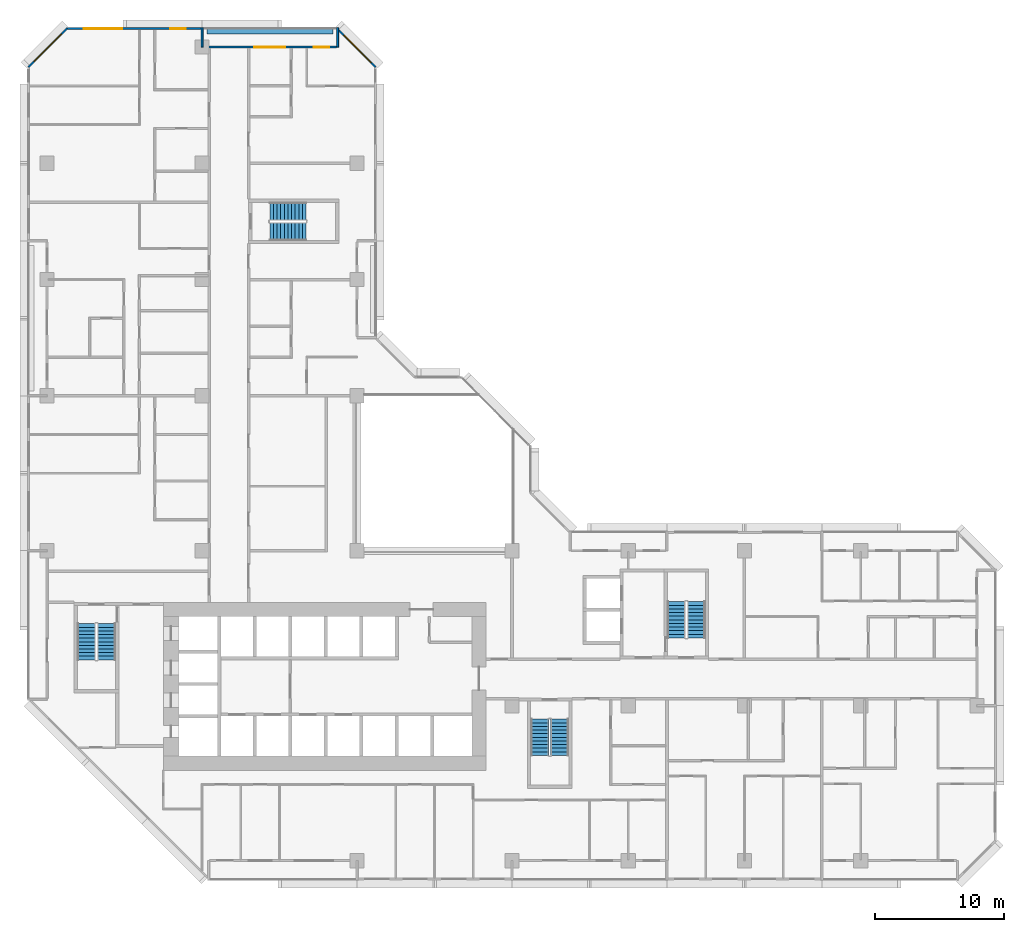
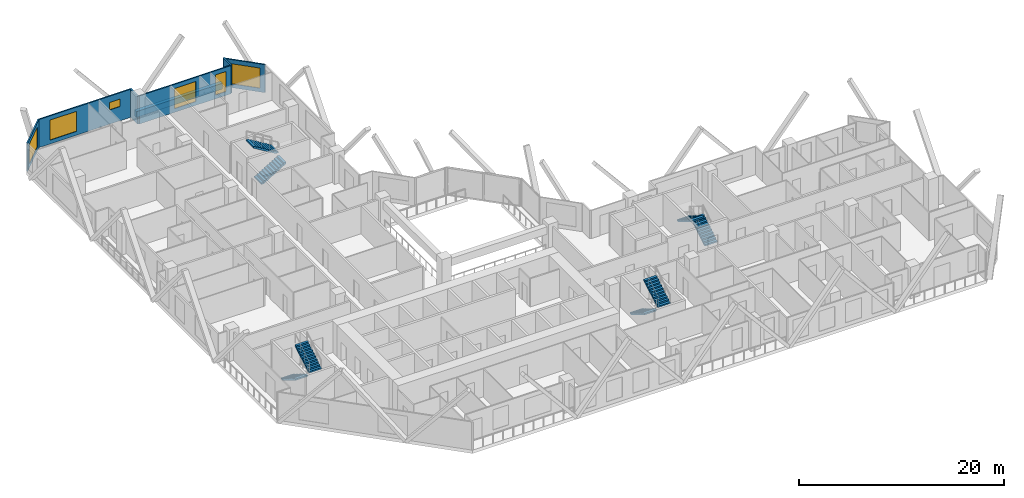
# One storey, part 13 of 15: 8 stair flights, 7 walls, 6 windows, 6 openings, 4 elements without a shape of their own.
"""IFC4 building model written with IfcOpenShell, lengths in metres."""

from ifc_helpers import new_model, si_unit, direction, frame, frame_2d, origin, place, context, subcontext, project, spatial, polyline, rectangle, outline, extrude, material, layer, layer_set, type_object, element, fill, aggregate, save


model = new_model("IFC4")

# Units and contexts
model_context = context("Model", 3, precision=1e-05, world=origin(), true_north=direction((0.0, 1.0)))
body_context = subcontext(model_context, "Body", "Model", "MODEL_VIEW")
ifc_project = project(units=[si_unit("LENGTHUNIT", "METRE"), si_unit("AREAUNIT", "SQUARE_METRE"), si_unit("VOLUMEUNIT", "CUBIC_METRE"), si_unit("PLANEANGLEUNIT", "RADIAN"), si_unit("MASSUNIT", "GRAM", prefix="KILO")], contexts=[model_context])

# Site, building, storey
site_placement = place(None, origin())
site = spatial("IfcSite", under=ifc_project, at=site_placement, CompositionType="ELEMENT")
building_placement = place(site_placement, origin())
building = spatial("IfcBuilding", under=site, at=building_placement, Name="Chenar Terraces", CompositionType="ELEMENT")
storey_placement = place(building_placement, frame((0.0, 0.0, 41.39990234375)))
storey = spatial("IfcBuildingStorey", under=building, at=storey_placement, Name="L07", CompositionType="ELEMENT", Elevation=41.39990234375)

# Wall, openings, windows
ifc_material_1 = material(Name="Aluminium framed glazing", Category="aluminium")
ifc_layer_1 = layer(ifc_material_1, 0.14990234375)
ifc_layer_set_1 = layer_set([ifc_layer_1], Name="Aluminium framed glazing")
wall_type_1 = type_object("IfcWallType", Name="Glazed flush facade wall 150", PredefinedType="SOLIDWALL", material=ifc_layer_set_1)
wall_1_placement = place(storey_placement, frame((11.925048828125, 64.425048828125, 0.0), z_axis=(0.0, 0.0, 1.0), x_axis=(-1.0, 0.0, 0.0)))
wall_1 = element("IfcWall", 1, at=wall_1_placement, inside=storey, type_object=wall_type_1, Name="Glazed flush facade wall", PredefinedType="SOLIDWALL", context=body_context, shape_type="SweptSolid", body=[
    extrude(rectangle(XDim=10.425048828125, YDim=0.14990234375, at=frame_2d((5.21240234375, 0.0))), origin(), (0.0, 0.0, 1.0), 3.35009765625),
])
opening_1_placement = place(wall_1_placement, frame((1.1875, 0.0, 1.699951171875)))
opening_1 = element("IfcOpeningElement", 2, at=opening_1_placement, cuts=wall_1, Name="Opening W120x90", PredefinedType="OPENING", context=body_context, shape_type="SweptSolid", body=[
    extrude(rectangle(XDim=1.199951171875, YDim=0.89990234375, at=frame_2d((0.60009765625, 0.449951171875))), frame((0.0, 0.0849609375, 0.0), z_axis=(0.0, -1.0, 0.0), x_axis=(1.0, 0.0, 0.0)), (0.0, 0.0, 1.0), 0.169921875),
])
opening_2_placement = place(wall_1_placement, frame((6.10009765625, 0.0, 0.449951171875)))
opening_2 = element("IfcOpeningElement", 3, at=opening_2_placement, cuts=wall_1, Name="Opening W300x240", PredefinedType="OPENING", context=body_context, shape_type="SweptSolid", body=[
    extrude(rectangle(XDim=3.0, YDim=2.39990234375, at=frame_2d((1.5, 1.199951171875))), frame((0.0, 0.0849609375, 0.0), z_axis=(0.0, -1.0, 0.0), x_axis=(1.0, 0.0, 0.0)), (0.0, 0.0, 1.0), 0.169921875),
])
ifc_material_2 = material(Name="Low emissivity double glazing, aluminium frame", Category="aluminium")
window_type_1 = type_object("IfcWindowType", Name="Fixed light 1200 x 900", PartitioningType="SINGLE_PANEL", PredefinedType="WINDOW", material=ifc_material_2)
window_1_placement = place(opening_1_placement, origin())
window_1 = element("IfcWindow", 4, at=window_1_placement, inside=storey, type_object=window_type_1, Name="Window", OverallHeight=0.89990234375, OverallWidth=1.199951171875, PartitioningType="SINGLE_PANEL", PredefinedType="WINDOW", context=body_context, shape_type="SweptSolid", body=[
    extrude(rectangle(XDim=1.199951171875, YDim=0.89990234375, at=frame_2d((0.60009765625, 0.449951171875))), frame((0.0, 0.030029296875, 0.0), z_axis=(0.0, -1.0, 0.0), x_axis=(1.0, 0.0, 0.0)), (0.0, 0.0, 1.0), 0.06005859375),
])
fill(opening_1, window_1)
ifc_material_3 = material(Name="Low emissivity double glazing, aluminium frame", Category="aluminium")
window_type_2 = type_object("IfcWindowType", Name="Fixed light 3000 x 2400", PartitioningType="SINGLE_PANEL", PredefinedType="WINDOW", material=ifc_material_3)
window_2_placement = place(opening_2_placement, origin())
window_2 = element("IfcWindow", 5, at=window_2_placement, inside=storey, type_object=window_type_2, Name="Window", OverallHeight=2.39990234375, OverallWidth=3.0, PartitioningType="SINGLE_PANEL", PredefinedType="WINDOW", context=body_context, shape_type="SweptSolid", body=[
    extrude(rectangle(XDim=3.0, YDim=2.39990234375, at=frame_2d((1.5, 1.199951171875))), frame((0.0, 0.030029296875, 0.0), z_axis=(0.0, -1.0, 0.0), x_axis=(1.0, 0.0, 0.0)), (0.0, 0.0, 1.0), 0.06005859375),
])
fill(opening_2, window_2)

ifc_material_4 = material(Name="Aluminium framed glazing", Category="aluminium")
ifc_layer_2 = layer(ifc_material_4, 0.14990234375)
ifc_layer_set_2 = layer_set([ifc_layer_2], Name="Aluminium framed glazing")
wall_type_2 = type_object("IfcWallType", Name="Glazed loggia back wall 150", PredefinedType="SOLIDWALL", material=ifc_layer_set_2)
wall_2_placement = place(storey_placement, frame((22.425048828125, 63.0, 0.0), z_axis=(0.0, 0.0, 1.0), x_axis=(-1.0, 0.0, 0.0)))
wall_2 = element("IfcWall", 6, at=wall_2_placement, inside=storey, type_object=wall_type_2, Name="Glazed loggia back wall", PredefinedType="SOLIDWALL", context=body_context, shape_type="SweptSolid", body=[
    extrude(rectangle(XDim=10.35009765625, YDim=0.14990234375, at=frame_2d((5.175048828125, 0.0))), origin(), (0.0, 0.0, 1.0), 3.35009765625),
])
opening_3_placement = place(wall_2_placement, frame((0.5625, 0.0, 0.449951171875)))
opening_3 = element("IfcOpeningElement", 7, at=opening_3_placement, cuts=wall_2, Name="Opening W120x240", PredefinedType="OPENING", context=body_context, shape_type="SweptSolid", body=[
    extrude(rectangle(XDim=1.199951171875, YDim=2.39990234375, at=frame_2d((0.60009765625, 1.199951171875))), frame((0.0, 0.0849609375, 0.0), z_axis=(0.0, -1.0, 0.0), x_axis=(1.0, 0.0, 0.0)), (0.0, 0.0, 1.0), 0.169921875),
])
opening_4_placement = place(wall_2_placement, frame((3.97509765625, 0.0, 0.449951171875)))
opening_4 = element("IfcOpeningElement", 8, at=opening_4_placement, cuts=wall_2, Name="Opening W240x240", PredefinedType="OPENING", context=body_context, shape_type="SweptSolid", body=[
    extrude(rectangle(XDim=2.39990234375, YDim=2.39990234375, at=frame_2d((1.199951171875, 1.199951171875))), frame((0.0, 0.0849609375, 0.0), z_axis=(0.0, -1.0, 0.0), x_axis=(1.0, 0.0, 0.0)), (0.0, 0.0, 1.0), 0.169921875),
])
ifc_material_5 = material(Name="Low emissivity double glazing, aluminium frame", Category="aluminium")
window_type_3 = type_object("IfcWindowType", Name="Fixed light 1200 x 2400", PartitioningType="SINGLE_PANEL", PredefinedType="WINDOW", material=ifc_material_5)
window_3_placement = place(opening_3_placement, origin())
window_3 = element("IfcWindow", 9, at=window_3_placement, inside=storey, type_object=window_type_3, Name="Window", OverallHeight=2.39990234375, OverallWidth=1.199951171875, PartitioningType="SINGLE_PANEL", PredefinedType="WINDOW", context=body_context, shape_type="SweptSolid", body=[
    extrude(rectangle(XDim=1.199951171875, YDim=2.39990234375, at=frame_2d((0.60009765625, 1.199951171875))), frame((0.0, 0.030029296875, 0.0), z_axis=(0.0, -1.0, 0.0), x_axis=(1.0, 0.0, 0.0)), (0.0, 0.0, 1.0), 0.06005859375),
])
fill(opening_3, window_3)
ifc_material_6 = material(Name="Low emissivity double glazing, aluminium frame", Category="aluminium")
window_type_4 = type_object("IfcWindowType", Name="Fixed light 2400 x 2400", PartitioningType="SINGLE_PANEL", PredefinedType="WINDOW", material=ifc_material_6)
window_4_placement = place(opening_4_placement, origin())
window_4 = element("IfcWindow", 10, at=window_4_placement, inside=storey, type_object=window_type_4, Name="Window", OverallHeight=2.39990234375, OverallWidth=2.39990234375, PartitioningType="SINGLE_PANEL", PredefinedType="WINDOW", context=body_context, shape_type="SweptSolid", body=[
    extrude(rectangle(XDim=2.39990234375, YDim=2.39990234375, at=frame_2d((1.199951171875, 1.199951171875))), frame((0.0, 0.030029296875, 0.0), z_axis=(0.0, -1.0, 0.0), x_axis=(1.0, 0.0, 0.0)), (0.0, 0.0, 1.0), 0.06005859375),
])
fill(opening_4, window_4)

# Walls
ifc_material_7 = material(Name="Terracotta cladding on insulated backing", Category="masonry")
ifc_layer_3 = layer(ifc_material_7, 0.14990234375)
ifc_layer_set_3 = layer_set([ifc_layer_3], Name="Terracotta cladding on insulated backing")
wall_type_3 = type_object("IfcWallType", Name="Loggia return wall 150", PredefinedType="SOLIDWALL", material=ifc_layer_set_3)
for number, where, z_axis, x_axis, name in (
    (11, (22.5, 64.5, 0.0), (0.0, 0.0, 1.0), (0.0, -1.0, 0.0), "Loggia return wall"),
    (12, (12.0, 64.5, 0.0), (0.0, 0.0, 1.0), (0.0, -1.0, 0.0), "Loggia return wall"),
):
    element("IfcWall", number, at=place(storey_placement, frame(where, z_axis=z_axis, x_axis=x_axis)), inside=storey, type_object=wall_type_3, Name=name, PredefinedType="SOLIDWALL", context=body_context, shape_type="SweptSolid", body=[
        extrude(rectangle(XDim=1.5, YDim=0.14990234375, at=frame_2d((0.75, 0.0))), origin(), (0.0, 0.0, 1.0), 3.35009765625),
    ])

# Wall, opening, window
ifc_material_8 = material(Name="Terracotta cladding on insulated backing", Category="masonry")
ifc_layer_4 = layer(ifc_material_8, 0.14990234375)
ifc_layer_set_4 = layer_set([ifc_layer_4], Name="Terracotta cladding on insulated backing")
wall_type_4 = type_object("IfcWallType", Name="Terracotta rainscreen wall 150", PredefinedType="SOLIDWALL", material=ifc_layer_set_4)
wall_3_placement = place(storey_placement, frame((25.447021484375, 61.447021484375, 0.0), z_axis=(0.0, 0.0, 1.0), x_axis=(-0.707106781187, 0.707106781187, 0.0)))
wall_3 = element("IfcWall", 13, at=wall_3_placement, inside=storey, type_object=wall_type_4, Name="Terracotta rainscreen wall", PredefinedType="SOLIDWALL", context=body_context, shape_type="SweptSolid", body=[
    extrude(rectangle(XDim=4.24267578125, YDim=0.14990234375, at=frame_2d((2.121337890625, 0.0))), origin(), (0.0, 0.0, 1.0), 3.35009765625),
])
opening_5_placement = place(wall_3_placement, frame((0.498046875, 0.0, 0.449951171875)))
opening_5 = element("IfcOpeningElement", 14, at=opening_5_placement, cuts=wall_3, Name="Opening W300x240", PredefinedType="OPENING", context=body_context, shape_type="SweptSolid", body=[
    extrude(rectangle(XDim=3.0, YDim=2.39990234375, at=frame_2d((1.5, 1.199951171875))), frame((0.0, 0.0849609375, 0.0), z_axis=(0.0, -1.0, 0.0), x_axis=(1.0, 0.0, 0.0)), (0.0, 0.0, 1.0), 0.169921875),
])
window_5_placement = place(opening_5_placement, origin())
window_5 = element("IfcWindow", 15, at=window_5_placement, inside=storey, type_object=window_type_2, Name="Window", OverallHeight=2.39990234375, OverallWidth=3.0, PartitioningType="SINGLE_PANEL", PredefinedType="WINDOW", context=body_context, shape_type="SweptSolid", body=[
    extrude(rectangle(XDim=3.0, YDim=2.39990234375, at=frame_2d((1.5, 1.199951171875))), frame((0.0, 0.030029296875, 0.0), z_axis=(0.0, -1.0, 0.0), x_axis=(1.0, 0.0, 0.0)), (0.0, 0.0, 1.0), 0.06005859375),
])
fill(opening_5, window_5)

wall_4_placement = place(storey_placement, frame((1.552978515625, 64.447021484375, 0.0), z_axis=(0.0, 0.0, 1.0), x_axis=(-0.707106781187, -0.707106781187, 0.0)))
wall_4 = element("IfcWall", 16, at=wall_4_placement, inside=storey, type_object=wall_type_4, Name="Terracotta rainscreen wall", PredefinedType="SOLIDWALL", context=body_context, shape_type="SweptSolid", body=[
    extrude(rectangle(XDim=4.24267578125, YDim=0.14990234375, at=frame_2d((2.121337890625, 0.0))), origin(), (0.0, 0.0, 1.0), 3.35009765625),
])
opening_6_placement = place(wall_4_placement, frame((0.621337890625, 0.0, 0.449951171875)))
opening_6 = element("IfcOpeningElement", 17, at=opening_6_placement, cuts=wall_4, Name="Opening W300x240", PredefinedType="OPENING", context=body_context, shape_type="SweptSolid", body=[
    extrude(rectangle(XDim=3.0, YDim=2.39990234375, at=frame_2d((1.5, 1.199951171875))), frame((0.0, 0.0849609375, 0.0), z_axis=(0.0, -1.0, 0.0), x_axis=(1.0, 0.0, 0.0)), (0.0, 0.0, 1.0), 0.169921875),
])
window_6_placement = place(opening_6_placement, origin())
window_6 = element("IfcWindow", 18, at=window_6_placement, inside=storey, type_object=window_type_2, Name="Window", OverallHeight=2.39990234375, OverallWidth=3.0, PartitioningType="SINGLE_PANEL", PredefinedType="WINDOW", context=body_context, shape_type="SweptSolid", body=[
    extrude(rectangle(XDim=3.0, YDim=2.39990234375, at=frame_2d((1.5, 1.199951171875))), frame((0.0, 0.030029296875, 0.0), z_axis=(0.0, -1.0, 0.0), x_axis=(1.0, 0.0, 0.0)), (0.0, 0.0, 1.0), 0.06005859375),
])
fill(opening_6, window_6)

# Wall
ifc_material_9 = material(Name="GRP planter trough")
ifc_layer_5 = layer(ifc_material_9, 0.39990234375)
ifc_layer_set_5 = layer_set([ifc_layer_5], Name="GRP planter trough")
wall_type_5 = type_object("IfcWallType", Name="Vertical greenery planter 400", PredefinedType="SOLIDWALL", material=ifc_layer_set_5)
wall_5_placement = place(storey_placement, frame((22.125, 64.22900390625, 0.0), z_axis=(0.0, 0.0, 1.0), x_axis=(-1.0, 0.0, 0.0)))
element("IfcWall", 19, at=wall_5_placement, inside=storey, type_object=wall_type_5, Name="Vertical greenery planter", PredefinedType="SOLIDWALL", context=body_context, shape_type="SweptSolid", body=[
    extrude(rectangle(XDim=9.75, YDim=0.39990234375, at=frame_2d((4.875, 0.0))), origin(), (0.0, 0.0, 1.0), 0.7001953125),
])

# Stair, stair flights
ifc_material_10 = material(Name="Reinforced concrete C40/50", Category="concrete")
stair_type = type_object("IfcStairType", Name="Core stair 1400 half-turn", PredefinedType="HALF_TURN_STAIR", material=ifc_material_10)
placement = place(storey_placement, origin())
stair_1 = element("IfcStair", 20, at=placement, inside=storey, type_object=stair_type, Name="L07 Stair 1", PredefinedType="HALF_TURN_STAIR")
ifc_material_11 = material(Name="Reinforced concrete C40/50", Category="concrete")
stair_flight_type = type_object("IfcStairFlightType", Name="Core stair flight 1400", PredefinedType="STRAIGHT", material=ifc_material_11)
stair_flight_1_placement = place(storey_placement, frame((3.050048828125, 18.35009765625, 0.0), z_axis=(0.0, 0.0, 1.0), x_axis=(0.0, -1.0, 0.0)))
stair_flight_1 = element("IfcStairFlight", 21, at=stair_flight_1_placement, type_object=stair_flight_type, Name="ST1 flight 1", NumberOfRisers=11, NumberOfTreads=10, PredefinedType="STRAIGHT", RiserHeight=0.170454545, TreadLength=0.28, context=body_context, shape_type="SweptSolid", body=[
    extrude(outline(polyline([(-0.0029296875, 0.0), (-0.0029296875, 0.17041015625), (0.0, 0.17041015625), (0.280029296875, 0.17041015625), (0.280029296875, 0.3408203125), (0.56005859375, 0.3408203125), (0.56005859375, 0.511474609375), (0.840087890625, 0.511474609375), (0.840087890625, 0.681884765625), (1.1201171875, 0.681884765625), (1.1201171875, 0.852294921875), (1.39990234375, 0.852294921875), (1.39990234375, 1.022705078125), (1.679931640625, 1.022705078125), (1.679931640625, 1.193115234375), (1.9599609375, 1.193115234375), (1.9599609375, 1.363525390625), (2.239990234375, 1.363525390625), (2.239990234375, 1.5341796875), (2.52001953125, 1.5341796875), (2.52001953125, 1.70458984375), (2.800048828125, 1.70458984375), (2.802978515625, 1.70458984375), (2.802978515625, 1.529052734375), (2.800048828125, 1.529052734375), (0.288330078125, 0.0), (-0.0029296875, 0.0)])), frame((0.0, 0.699951171875, 0.0), z_axis=(0.0, -1.0, 0.0), x_axis=(1.0, 0.0, 0.0)), (0.0, 0.0, 1.0), 1.39990234375),
])
stair_flight_2_placement = place(storey_placement, frame((4.60009765625, 15.550048828125, 1.875), z_axis=(0.0, 0.0, 1.0), x_axis=(0.0, 1.0, 0.0)))
stair_flight_2 = element("IfcStairFlight", 22, at=stair_flight_2_placement, type_object=stair_flight_type, Name="ST1 flight 2", NumberOfRisers=11, NumberOfTreads=10, PredefinedType="STRAIGHT", RiserHeight=0.170454545, TreadLength=0.28, context=body_context, shape_type="SweptSolid", body=[
    extrude(outline(polyline([(-0.0029296875, 0.0), (-0.0029296875, 0.17041015625), (0.0, 0.17041015625), (0.280029296875, 0.17041015625), (0.280029296875, 0.3408203125), (0.56005859375, 0.3408203125), (0.56005859375, 0.511474609375), (0.840087890625, 0.511474609375), (0.840087890625, 0.681884765625), (1.1201171875, 0.681884765625), (1.1201171875, 0.852294921875), (1.39990234375, 0.852294921875), (1.39990234375, 1.022705078125), (1.679931640625, 1.022705078125), (1.679931640625, 1.193115234375), (1.9599609375, 1.193115234375), (1.9599609375, 1.363525390625), (2.239990234375, 1.363525390625), (2.239990234375, 1.5341796875), (2.52001953125, 1.5341796875), (2.52001953125, 1.70458984375), (2.800048828125, 1.70458984375), (2.802978515625, 1.70458984375), (2.802978515625, 1.529052734375), (2.800048828125, 1.529052734375), (0.288330078125, 0.0), (-0.0029296875, 0.0)])), frame((0.0, 0.699951171875, 0.0), z_axis=(0.0, -1.0, 0.0), x_axis=(1.0, 0.0, 0.0)), (0.0, 0.0, 1.0), 1.39990234375),
])
aggregate(stair_1, [stair_flight_1, stair_flight_2])

stair_2 = element("IfcStair", 23, at=placement, inside=storey, type_object=stair_type, Name="L07 Stair 2", PredefinedType="HALF_TURN_STAIR")
stair_flight_3_placement = place(storey_placement, frame((38.14990234375, 10.949951171875, 0.0), z_axis=(0.0, 0.0, 1.0), x_axis=(0.0, -1.0, 0.0)))
stair_flight_3 = element("IfcStairFlight", 24, at=stair_flight_3_placement, type_object=stair_flight_type, Name="ST2 flight 1", NumberOfRisers=11, NumberOfTreads=10, PredefinedType="STRAIGHT", RiserHeight=0.170454545, TreadLength=0.28, context=body_context, shape_type="SweptSolid", body=[
    extrude(outline(polyline([(-0.0029296875, 0.0), (-0.0029296875, 0.17041015625), (0.0, 0.17041015625), (0.280029296875, 0.17041015625), (0.280029296875, 0.3408203125), (0.56005859375, 0.3408203125), (0.56005859375, 0.511474609375), (0.840087890625, 0.511474609375), (0.840087890625, 0.681884765625), (1.1201171875, 0.681884765625), (1.1201171875, 0.852294921875), (1.39990234375, 0.852294921875), (1.39990234375, 1.022705078125), (1.679931640625, 1.022705078125), (1.679931640625, 1.193115234375), (1.9599609375, 1.193115234375), (1.9599609375, 1.363525390625), (2.239990234375, 1.363525390625), (2.239990234375, 1.5341796875), (2.52001953125, 1.5341796875), (2.52001953125, 1.70458984375), (2.800048828125, 1.70458984375), (2.802978515625, 1.70458984375), (2.802978515625, 1.529052734375), (2.800048828125, 1.529052734375), (0.288330078125, 0.0), (-0.0029296875, 0.0)])), frame((0.0, 0.699951171875, 0.0), z_axis=(0.0, -1.0, 0.0), x_axis=(1.0, 0.0, 0.0)), (0.0, 0.0, 1.0), 1.39990234375),
])
stair_flight_4_placement = place(storey_placement, frame((39.699951171875, 8.14990234375, 1.875), z_axis=(0.0, 0.0, 1.0), x_axis=(0.0, 1.0, 0.0)))
stair_flight_4 = element("IfcStairFlight", 25, at=stair_flight_4_placement, type_object=stair_flight_type, Name="ST2 flight 2", NumberOfRisers=11, NumberOfTreads=10, PredefinedType="STRAIGHT", RiserHeight=0.170454545, TreadLength=0.28, context=body_context, shape_type="SweptSolid", body=[
    extrude(outline(polyline([(-0.0029296875, 0.0), (-0.0029296875, 0.17041015625), (0.0, 0.17041015625), (0.280029296875, 0.17041015625), (0.280029296875, 0.3408203125), (0.56005859375, 0.3408203125), (0.56005859375, 0.511474609375), (0.840087890625, 0.511474609375), (0.840087890625, 0.681884765625), (1.1201171875, 0.681884765625), (1.1201171875, 0.852294921875), (1.39990234375, 0.852294921875), (1.39990234375, 1.022705078125), (1.679931640625, 1.022705078125), (1.679931640625, 1.193115234375), (1.9599609375, 1.193115234375), (1.9599609375, 1.363525390625), (2.239990234375, 1.363525390625), (2.239990234375, 1.5341796875), (2.52001953125, 1.5341796875), (2.52001953125, 1.70458984375), (2.800048828125, 1.70458984375), (2.802978515625, 1.70458984375), (2.802978515625, 1.529052734375), (2.800048828125, 1.529052734375), (0.288330078125, 0.0), (-0.0029296875, 0.0)])), frame((0.0, 0.699951171875, 0.0), z_axis=(0.0, -1.0, 0.0), x_axis=(1.0, 0.0, 0.0)), (0.0, 0.0, 1.0), 1.39990234375),
])
aggregate(stair_2, [stair_flight_3, stair_flight_4])

stair_3 = element("IfcStair", 26, at=placement, inside=storey, type_object=stair_type, Name="L07 Stair 3", PredefinedType="HALF_TURN_STAIR")
stair_flight_5_placement = place(storey_placement, frame((50.27490234375, 17.25, 0.0), z_axis=(0.0, 0.0, 1.0), x_axis=(0.0, 1.0, 0.0)))
stair_flight_5 = element("IfcStairFlight", 27, at=stair_flight_5_placement, type_object=stair_flight_type, Name="ST3 flight 1", NumberOfRisers=11, NumberOfTreads=10, PredefinedType="STRAIGHT", RiserHeight=0.170454545, TreadLength=0.28, context=body_context, shape_type="SweptSolid", body=[
    extrude(outline(polyline([(-0.0029296875, 0.0), (-0.0029296875, 0.17041015625), (0.0, 0.17041015625), (0.280029296875, 0.17041015625), (0.280029296875, 0.3408203125), (0.56005859375, 0.3408203125), (0.56005859375, 0.511474609375), (0.840087890625, 0.511474609375), (0.840087890625, 0.681884765625), (1.1201171875, 0.681884765625), (1.1201171875, 0.852294921875), (1.39990234375, 0.852294921875), (1.39990234375, 1.022705078125), (1.679931640625, 1.022705078125), (1.679931640625, 1.193115234375), (1.9599609375, 1.193115234375), (1.9599609375, 1.363525390625), (2.239990234375, 1.363525390625), (2.239990234375, 1.5341796875), (2.52001953125, 1.5341796875), (2.52001953125, 1.70458984375), (2.800048828125, 1.70458984375), (2.802978515625, 1.70458984375), (2.802978515625, 1.529052734375), (2.800048828125, 1.529052734375), (0.288330078125, 0.0), (-0.0029296875, 0.0)])), frame((0.0, 0.699951171875, 0.0), z_axis=(0.0, -1.0, 0.0), x_axis=(1.0, 0.0, 0.0)), (0.0, 0.0, 1.0), 1.39990234375),
])
stair_flight_6_placement = place(storey_placement, frame((48.72509765625, 20.050048828125, 1.875), z_axis=(0.0, 0.0, 1.0), x_axis=(0.0, -1.0, 0.0)))
stair_flight_6 = element("IfcStairFlight", 28, at=stair_flight_6_placement, type_object=stair_flight_type, Name="ST3 flight 2", NumberOfRisers=11, NumberOfTreads=10, PredefinedType="STRAIGHT", RiserHeight=0.170454545, TreadLength=0.28, context=body_context, shape_type="SweptSolid", body=[
    extrude(outline(polyline([(-0.0029296875, 0.0), (-0.0029296875, 0.17041015625), (0.0, 0.17041015625), (0.280029296875, 0.17041015625), (0.280029296875, 0.3408203125), (0.56005859375, 0.3408203125), (0.56005859375, 0.511474609375), (0.840087890625, 0.511474609375), (0.840087890625, 0.681884765625), (1.1201171875, 0.681884765625), (1.1201171875, 0.852294921875), (1.39990234375, 0.852294921875), (1.39990234375, 1.022705078125), (1.679931640625, 1.022705078125), (1.679931640625, 1.193115234375), (1.9599609375, 1.193115234375), (1.9599609375, 1.363525390625), (2.239990234375, 1.363525390625), (2.239990234375, 1.5341796875), (2.52001953125, 1.5341796875), (2.52001953125, 1.70458984375), (2.800048828125, 1.70458984375), (2.802978515625, 1.70458984375), (2.802978515625, 1.529052734375), (2.800048828125, 1.529052734375), (0.288330078125, 0.0), (-0.0029296875, 0.0)])), frame((0.0, 0.699951171875, 0.0), z_axis=(0.0, -1.0, 0.0), x_axis=(1.0, 0.0, 0.0)), (0.0, 0.0, 1.0), 1.39990234375),
])
aggregate(stair_3, [stair_flight_5, stair_flight_6])

stair_4 = element("IfcStair", 29, at=placement, inside=storey, type_object=stair_type, Name="L07 Stair 4", PredefinedType="HALF_TURN_STAIR")
stair_flight_7_placement = place(storey_placement, frame((17.25, 48.72509765625, 0.0), z_axis=(0.0, 0.0, 1.0), x_axis=(1.0, 0.0, 0.0)))
stair_flight_7 = element("IfcStairFlight", 30, at=stair_flight_7_placement, type_object=stair_flight_type, Name="ST4 flight 1", NumberOfRisers=11, NumberOfTreads=10, PredefinedType="STRAIGHT", RiserHeight=0.170454545, TreadLength=0.28, context=body_context, shape_type="SweptSolid", body=[
    extrude(outline(polyline([(-0.0029296875, 0.0), (-0.0029296875, 0.17041015625), (0.0, 0.17041015625), (0.280029296875, 0.17041015625), (0.280029296875, 0.3408203125), (0.56005859375, 0.3408203125), (0.56005859375, 0.511474609375), (0.840087890625, 0.511474609375), (0.840087890625, 0.681884765625), (1.1201171875, 0.681884765625), (1.1201171875, 0.852294921875), (1.39990234375, 0.852294921875), (1.39990234375, 1.022705078125), (1.679931640625, 1.022705078125), (1.679931640625, 1.193115234375), (1.9599609375, 1.193115234375), (1.9599609375, 1.363525390625), (2.239990234375, 1.363525390625), (2.239990234375, 1.5341796875), (2.52001953125, 1.5341796875), (2.52001953125, 1.70458984375), (2.800048828125, 1.70458984375), (2.802978515625, 1.70458984375), (2.802978515625, 1.529052734375), (2.800048828125, 1.529052734375), (0.288330078125, 0.0), (-0.0029296875, 0.0)])), frame((0.0, 0.699951171875, 0.0), z_axis=(0.0, -1.0, 0.0), x_axis=(1.0, 0.0, 0.0)), (0.0, 0.0, 1.0), 1.39990234375),
])
stair_flight_8_placement = place(storey_placement, frame((20.050048828125, 50.27490234375, 1.875), z_axis=(0.0, 0.0, 1.0), x_axis=(-1.0, 0.0, 0.0)))
stair_flight_8 = element("IfcStairFlight", 31, at=stair_flight_8_placement, type_object=stair_flight_type, Name="ST4 flight 2", NumberOfRisers=11, NumberOfTreads=10, PredefinedType="STRAIGHT", RiserHeight=0.170454545, TreadLength=0.28, context=body_context, shape_type="SweptSolid", body=[
    extrude(outline(polyline([(-0.0029296875, 0.0), (-0.0029296875, 0.17041015625), (0.0, 0.17041015625), (0.280029296875, 0.17041015625), (0.280029296875, 0.3408203125), (0.56005859375, 0.3408203125), (0.56005859375, 0.511474609375), (0.840087890625, 0.511474609375), (0.840087890625, 0.681884765625), (1.1201171875, 0.681884765625), (1.1201171875, 0.852294921875), (1.39990234375, 0.852294921875), (1.39990234375, 1.022705078125), (1.679931640625, 1.022705078125), (1.679931640625, 1.193115234375), (1.9599609375, 1.193115234375), (1.9599609375, 1.363525390625), (2.239990234375, 1.363525390625), (2.239990234375, 1.5341796875), (2.52001953125, 1.5341796875), (2.52001953125, 1.70458984375), (2.800048828125, 1.70458984375), (2.802978515625, 1.70458984375), (2.802978515625, 1.529052734375), (2.800048828125, 1.529052734375), (0.288330078125, 0.0), (-0.0029296875, 0.0)])), frame((0.0, 0.699951171875, 0.0), z_axis=(0.0, -1.0, 0.0), x_axis=(1.0, 0.0, 0.0)), (0.0, 0.0, 1.0), 1.39990234375),
])
aggregate(stair_4, [stair_flight_7, stair_flight_8])

save(model, "model.ifc")
